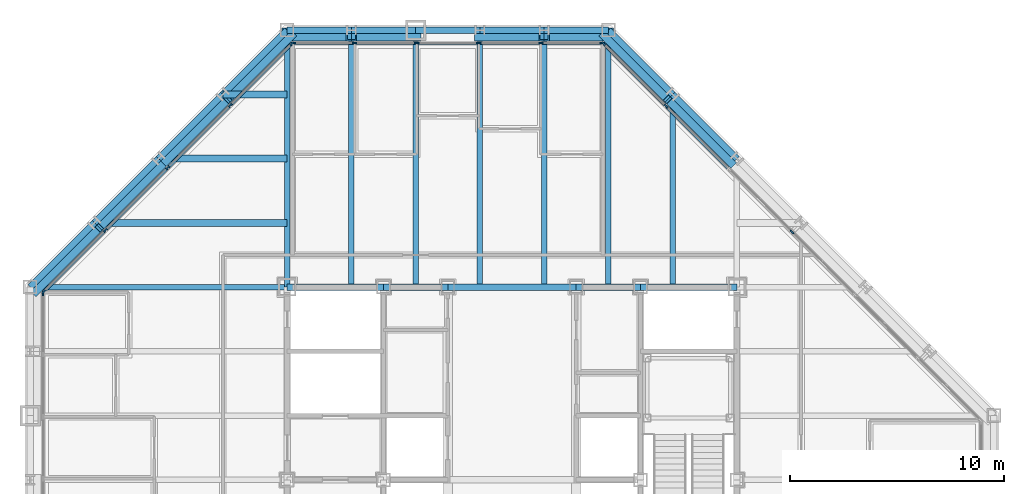
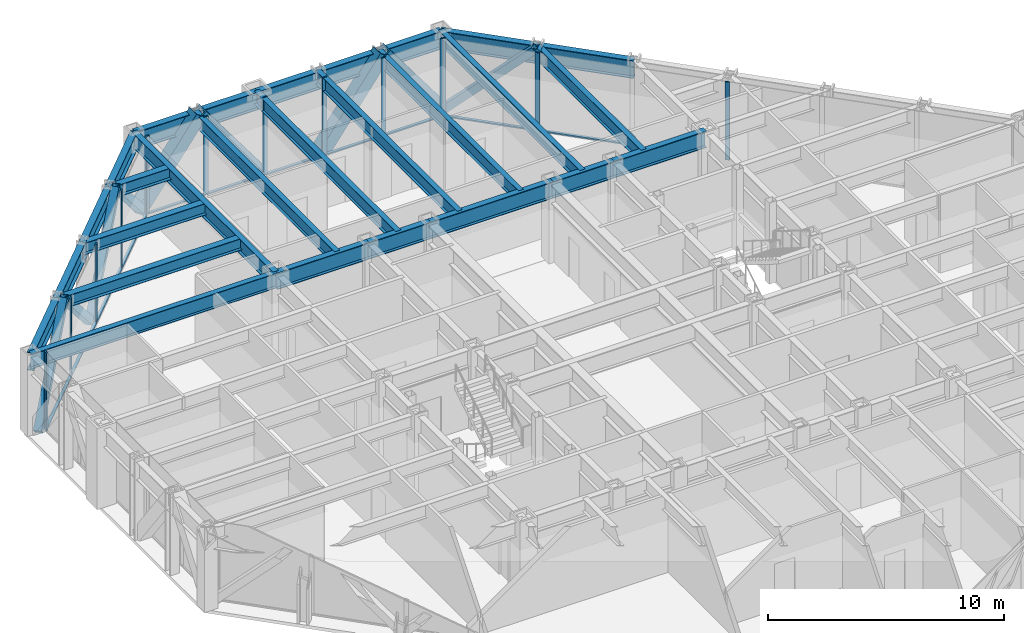
# One storey, part 8 of 16: 36 members, 27 beams, 4 elements without a shape of their own.
"""IFC4 building model written with IfcOpenShell, lengths in metres."""

import ifcopenshell
import ifcopenshell.guid

model = None  # the IFC model being written
_history = None  # IfcOwnerHistory: only IFC2X3 demands one
_inside = {}  # id of a spatial element -> (the spatial element, [elements in it])
_under = {}  # id of a project, library or spatial element -> (it, [spatial elements below it])
_declared = {}  # id of a project -> (the project, [libraries it declares])
_typed = {}  # id of a type object -> (the type object, [elements of that type])
_made_of = {}  # id of a material, layer set ... -> (it, [elements and type objects made of it])


def new_model(schema):
    """Start an empty IFC model of exactly this schema.

    Asked for "IFC4X3", IfcOpenShell would pick the latest addendum, in which some entities
    have other attributes; the version numbers below select the first issue.
    IFC2X3 requires an IfcOwnerHistory on every rooted entity: one is made here for all.
    """
    global model, _history
    if schema == "IFC4X3":
        model = ifcopenshell.file(schema_version=(4, 3, 0, 0))
    else:
        model = ifcopenshell.file(schema=schema)
    _inside.clear()
    _under.clear()
    _declared.clear()
    _typed.clear()
    _made_of.clear()
    _history = None
    if model.schema == "IFC2X3":
        org = make("IfcOrganization", Name="unknown")
        user = make(
            "IfcPersonAndOrganization",
            ThePerson=make("IfcPerson", FamilyName="unknown"),
            TheOrganization=org,
        )
        app = make(
            "IfcApplication",
            ApplicationDeveloper=org,
            Version="unknown",
            ApplicationFullName="unknown",
            ApplicationIdentifier="unknown",
        )
        _history = make(
            "IfcOwnerHistory",
            OwningUser=user,
            OwningApplication=app,
            ChangeAction="ADDED",
            CreationDate=0,
        )
    return model


def make(cls, **values):
    """One entity of the class cls with the attributes given. An attribute that is None is left unset."""
    return model.create_entity(
        cls, **{name: value for name, value in values.items() if value is not None}
    )


def rooted(cls, **values):
    """An entity with a GlobalId (a new one), such as an element, a storey or a relation."""
    return make(cls, GlobalId=ifcopenshell.guid.new(), OwnerHistory=_history, **values)


def si_unit(unit_type, name, prefix=None):
    """IfcSIUnit, for example si_unit("LENGTHUNIT", "METRE", prefix="MILLI")."""
    return make("IfcSIUnit", UnitType=unit_type, Prefix=prefix, Name=name)


def assignment(units):
    """IfcUnitAssignment: the units of a project."""
    return None if units is None else make("IfcUnitAssignment", Units=units)


def point(xyz):
    """IfcCartesianPoint."""
    return None if xyz is None else make("IfcCartesianPoint", Coordinates=xyz)


def direction(xyz):
    """IfcDirection."""
    return None if xyz is None else make("IfcDirection", DirectionRatios=xyz)


def frame(location, z_axis=None, x_axis=None):
    """IfcAxis2Placement3D, a coordinate frame: its origin and axes. An axis left out is left unset."""
    return make(
        "IfcAxis2Placement3D",
        Location=point(location),
        Axis=direction(z_axis),
        RefDirection=direction(x_axis),
    )


def frame_2d(location, x_axis=None):
    """IfcAxis2Placement2D, a coordinate frame in the plane: its origin and x axis."""
    return make(
        "IfcAxis2Placement2D", Location=point(location), RefDirection=direction(x_axis)
    )


def origin():
    """The frame at (0, 0, 0) with its axes left unset."""
    return frame((0.0, 0.0, 0.0))


def origin_2d():
    """The frame at (0, 0) in the plane with its x axis left unset."""
    return frame_2d((0.0, 0.0))


def place(relative_to, where):
    """IfcLocalPlacement: puts the frame where relative to a parent placement (None: the world)."""
    return make(
        "IfcLocalPlacement", PlacementRelTo=relative_to, RelativePlacement=where
    )


def context(
    kind, dimensions, precision=None, world=None, true_north=None, identifier=None
):
    """IfcGeometricRepresentationContext, for example the 3D "Model" context."""
    return make(
        "IfcGeometricRepresentationContext",
        ContextIdentifier=identifier,
        ContextType=kind,
        CoordinateSpaceDimension=dimensions,
        Precision=precision,
        WorldCoordinateSystem=world,
        TrueNorth=true_north,
    )


def subcontext(parent, identifier, kind, view, scale=None):
    """IfcGeometricRepresentationSubContext, for example "Body" below "Model"."""
    return make(
        "IfcGeometricRepresentationSubContext",
        ContextIdentifier=identifier,
        ContextType=kind,
        ParentContext=parent,
        TargetScale=scale,
        TargetView=view,
    )


def project(units=None, contexts=None):
    """IfcProject with its units and contexts."""
    return rooted(
        "IfcProject",
        Name="project",
        RepresentationContexts=contexts,
        UnitsInContext=assignment(units),
    )


def spatial(cls, under=None, at=None, **own):
    """A site, building, storey or space (cls), placed at a placement, below another one or the project."""
    s = rooted(cls, ObjectPlacement=at, **own)
    if under is not None:
        _under.setdefault(under.id(), (under, []))[1].append(s)
    return s


def profile(cls, at=None, kind="AREA", **sizes):
    """A parametric profile (cls). Its sizes go by their IFC names, for example OverallWidth=200.0."""
    return make(cls, ProfileType=kind, Position=at, **sizes)


def rectangle(**sizes):
    """IfcRectangleProfileDef."""
    return profile("IfcRectangleProfileDef", **sizes)


def hollow_rectangle(**sizes):
    """IfcRectangleHollowProfileDef."""
    return profile("IfcRectangleHollowProfileDef", **sizes)


def i_section(**sizes):
    """IfcIShapeProfileDef."""
    return profile("IfcIShapeProfileDef", **sizes)


def extrude(swept, where, along, depth):
    """IfcExtrudedAreaSolid: the profile swept, set in the frame where, extruded along a direction by depth."""
    return make(
        "IfcExtrudedAreaSolid",
        SweptArea=swept,
        Position=where,
        ExtrudedDirection=direction(along),
        Depth=depth,
    )


def shape(context_of_items, identifier, shape_type, items):
    """IfcShapeRepresentation: the items that make up one representation, for example the "Body"."""
    return make(
        "IfcShapeRepresentation",
        ContextOfItems=context_of_items,
        RepresentationIdentifier=identifier,
        RepresentationType=shape_type,
        Items=items,
    )


def material(Name=None, Category=None):
    """IfcMaterial."""
    return make("IfcMaterial", Name=Name, Category=Category)


def layer(
    of_material, thickness, ventilated=None, Name=None, Category=None, Priority=None
):
    """IfcMaterialLayer: one layer of a wall or slab, of a material (None: an air gap)."""
    return make(
        "IfcMaterialLayer",
        Material=of_material,
        LayerThickness=thickness,
        IsVentilated=ventilated,
        Name=Name,
        Category=Category,
        Priority=Priority,
    )


def layer_set(layers, Name=None):
    """IfcMaterialLayerSet."""
    return make("IfcMaterialLayerSet", MaterialLayers=layers, LayerSetName=Name)


def material_profile(
    of_material, cross_section, Name=None, Category=None, Priority=None
):
    """IfcMaterialProfile: a cross section and its material."""
    return make(
        "IfcMaterialProfile",
        Name=Name,
        Material=of_material,
        Profile=cross_section,
        Priority=Priority,
        Category=Category,
    )


def profile_set(profiles, Name=None, composite=None):
    """IfcMaterialProfileSet."""
    return make(
        "IfcMaterialProfileSet",
        Name=Name,
        MaterialProfiles=profiles,
        CompositeProfile=composite,
    )


def made_of(thing, what):
    """Note that an element or type object is made of a material, layer set ...; save() writes the relation."""
    if what is not None:
        _made_of.setdefault(what.id(), (what, []))[1].append(thing)
    return thing


def type_object(cls, material=None, **own):
    """A type object (cls), such as IfcWallType, which elements share."""
    return made_of(rooted(cls, **own), material)


def element(
    cls,
    number,
    at=None,
    inside=None,
    cuts=None,
    type_object=None,
    material=None,
    context=None,
    identifier="Body",
    shape_type=None,
    held_by="IfcProductDefinitionShape",
    body=None,
    shapes=None,
    **own,
):
    """One element of the class cls, such as IfcWall. Its Tag is "e" and its number.

    at: its placement. inside: the storey or other place that contains it. cuts: it is an
    opening in that element (IfcRelVoidsElement). A single representation is given by context,
    identifier, shape_type and body (its items); several are given by shapes. held_by: the class
    of the entity that holds the representations. save() writes the other relations.
    """
    e = rooted(cls, Tag="e%d" % number, ObjectPlacement=at, **own)
    if body is not None:
        shapes = [shape(context, identifier, shape_type, body)]
    if shapes is not None:
        e.Representation = make(held_by, Representations=shapes)
    if inside is not None:
        _inside.setdefault(inside.id(), (inside, []))[1].append(e)
    if cuts is not None:
        rooted(
            "IfcRelVoidsElement", RelatingBuildingElement=cuts, RelatedOpeningElement=e
        )
    if type_object is not None:
        _typed.setdefault(type_object.id(), (type_object, []))[1].append(e)
    return made_of(e, material)


def aggregate(whole, parts):
    """IfcRelAggregates: a whole, such as a stair, and the parts it consists of."""
    return rooted("IfcRelAggregates", RelatingObject=whole, RelatedObjects=parts)


def save(model, path):
    """Write the relations noted so far, then the file.

    IfcRelAggregates (storeys below a building ...), IfcRelContainedInSpatialStructure (elements
    in a storey), IfcRelDefinesByType, IfcRelAssociatesMaterial and IfcRelDeclares: one each for
    every whole, place, type object, material and project.
    """
    for whole, parts in _under.values():
        aggregate(whole, parts)
    for where, things in _inside.values():
        rooted(
            "IfcRelContainedInSpatialStructure",
            RelatedElements=things,
            RelatingStructure=where,
        )
    for kind, things in _typed.values():
        rooted("IfcRelDefinesByType", RelatedObjects=things, RelatingType=kind)
    for what, things in _made_of.values():
        rooted("IfcRelAssociatesMaterial", RelatedObjects=things, RelatingMaterial=what)
    for by, libraries in _declared.values():
        rooted("IfcRelDeclares", RelatingContext=by, RelatedDefinitions=libraries)
    model.write(path)


model = new_model("IFC4")

# Units and contexts
model_context = context("Model", 3, precision=1e-05, world=origin(), true_north=direction((0.0, 1.0)))
body_context = subcontext(model_context, "Body", "Model", "MODEL_VIEW")
ifc_project = project(units=[si_unit("LENGTHUNIT", "METRE"), si_unit("AREAUNIT", "SQUARE_METRE"), si_unit("VOLUMEUNIT", "CUBIC_METRE"), si_unit("PLANEANGLEUNIT", "RADIAN"), si_unit("MASSUNIT", "GRAM", prefix="KILO")], contexts=[model_context])

# Site, building, storey
site_placement = place(None, origin())
site = spatial("IfcSite", under=ifc_project, at=site_placement, CompositionType="ELEMENT")
building_placement = place(site_placement, origin())
building = spatial("IfcBuilding", under=site, at=building_placement, Name="Chuquiago Exchange Tower", CompositionType="ELEMENT")
storey_placement = place(building_placement, frame((0.0, 0.0, 205.5)))
storey = spatial("IfcBuildingStorey", under=building, at=storey_placement, Name="L45", CompositionType="ELEMENT", Elevation=205.5)

# Beams
ifc_material_1 = material(Name="Steel ASTM A992", Category="steel")
ifc_material_profile_1 = material_profile(ifc_material_1, i_section(OverallWidth=0.25390625, OverallDepth=0.683349609375, WebThickness=0.012451171875, FlangeThickness=0.018798828125, at=origin_2d()), Name="W27X94")
ifc_profile_set_1 = profile_set([ifc_material_profile_1], Name="Steel ASTM A992")
beam_type_1 = type_object("IfcBeamType", Name="B1 W27X94", PredefinedType="BEAM", material=ifc_profile_set_1)
for number, where, z_axis, x_axis, name in (
    (1, (15.0, 33.0, 3.698486328125), (0.0, 1.0, 0.0), (-1.0, 0.0, 0.0), "FB-L46-infill-15_33-15_45-0"),
    (2, (18.0, 33.0, 3.698486328125), (0.0, 1.0, 0.0), (-1.0, 0.0, 0.0), "FB-L46-infill-18_33-18_45-0"),
    (3, (21.0, 33.0, 3.698486328125), (0.0, 1.0, 0.0), (-1.0, 0.0, 0.0), "FB-L46-infill-21_33-21_45-0"),
    (4, (24.0, 33.0, 3.698486328125), (0.0, 1.0, 0.0), (-1.0, 0.0, 0.0), "FB-L46-infill-24_33-24_45-0"),
    (5, (27.0, 33.0, 3.698486328125), (0.0, 1.0, 0.0), (-1.0, 0.0, 0.0), "FB-L46-infill-27_33-27_45-0"),
):
    element("IfcBeam", number, at=place(storey_placement, frame(where, z_axis=z_axis, x_axis=x_axis)), inside=storey, type_object=beam_type_1, Name=name, PredefinedType="BEAM", context=body_context, shape_type="SweptSolid", body=[
        extrude(i_section(OverallWidth=0.25390625, OverallDepth=0.683349609375, WebThickness=0.012451171875, FlangeThickness=0.018798828125, at=origin_2d()), origin(), (0.0, 0.0, 1.0), 12.0),
    ])
beam_1_placement = place(storey_placement, frame((30.0, 33.0, 3.698486328125), z_axis=(0.0, 1.0, 0.0), x_axis=(-1.0, 0.0, 0.0)))
element("IfcBeam", 6, at=beam_1_placement, inside=storey, type_object=beam_type_1, Name="FB-L46-infill-30_33-30_42-0", PredefinedType="BEAM", context=body_context, shape_type="SweptSolid", body=[
    extrude(i_section(OverallWidth=0.25390625, OverallDepth=0.683349609375, WebThickness=0.012451171875, FlangeThickness=0.018798828125, at=origin_2d()), origin(), (0.0, 0.0, 1.0), 9.0),
])
ifc_material_2 = material(Name="Steel ASTM A992", Category="steel")
ifc_material_profile_2 = material_profile(ifc_material_2, i_section(OverallWidth=0.3251953125, OverallDepth=0.612060546875, WebThickness=0.0126953125, FlangeThickness=0.01904296875, at=origin_2d()), Name="W24X104")
ifc_profile_set_2 = profile_set([ifc_material_profile_2], Name="Steel ASTM A992")
beam_type_2 = type_object("IfcBeamType", Name="B2 W24X104", PredefinedType="BEAM", material=ifc_profile_set_2)
beam_2_placement = place(storey_placement, frame((12.0, 36.0, 3.73388671875), z_axis=(-1.0, 0.0, 0.0), x_axis=(0.0, -1.0, 0.0)))
element("IfcBeam", 7, at=beam_2_placement, inside=storey, type_object=beam_type_2, Name="FB-L46-corner-12_36-3_36-0", PredefinedType="BEAM", context=body_context, shape_type="SweptSolid", body=[
    extrude(i_section(OverallWidth=0.3251953125, OverallDepth=0.612060546875, WebThickness=0.0126953125, FlangeThickness=0.01904296875, at=origin_2d()), origin(), (0.0, 0.0, 1.0), 9.0),
])
beam_3_placement = place(storey_placement, frame((12.0, 39.0, 3.73388671875), z_axis=(-1.0, 0.0, 0.0), x_axis=(0.0, -1.0, 0.0)))
element("IfcBeam", 8, at=beam_3_placement, inside=storey, type_object=beam_type_2, Name="FB-L46-corner-12_39-6_39-0", PredefinedType="BEAM", context=body_context, shape_type="SweptSolid", body=[
    extrude(i_section(OverallWidth=0.3251953125, OverallDepth=0.612060546875, WebThickness=0.0126953125, FlangeThickness=0.01904296875, at=origin_2d()), origin(), (0.0, 0.0, 1.0), 6.0),
])
beam_4_placement = place(storey_placement, frame((12.0, 42.0, 3.73388671875), z_axis=(-1.0, 0.0, 0.0), x_axis=(0.0, -1.0, 0.0)))
element("IfcBeam", 9, at=beam_4_placement, inside=storey, type_object=beam_type_2, Name="FB-L46-corner-12_42-9_42-0", PredefinedType="BEAM", context=body_context, shape_type="SweptSolid", body=[
    extrude(i_section(OverallWidth=0.3251953125, OverallDepth=0.612060546875, WebThickness=0.0126953125, FlangeThickness=0.01904296875, at=origin_2d()), origin(), (0.0, 0.0, 1.0), 3.0),
])
ifc_material_3 = material(Name="Steel ASTM A992", Category="steel")
ifc_material_profile_3 = material_profile(ifc_material_3, i_section(OverallWidth=0.2919921875, OverallDepth=0.8583984375, WebThickness=0.01708984375, FlangeThickness=0.031005859375, at=origin_2d()), Name="W33X169")
ifc_profile_set_3 = profile_set([ifc_material_profile_3], Name="Steel ASTM A992")
beam_type_3 = type_object("IfcBeamType", Name="B3 W33X169", PredefinedType="BEAM", material=ifc_profile_set_3)
beam_5_placement = place(storey_placement, frame((12.0, 33.0, 3.610595703125), z_axis=(1.0, 0.0, 0.0), x_axis=(0.0, 1.0, 0.0)))
element("IfcBeam", 10, at=beam_5_placement, inside=storey, type_object=beam_type_3, Name="CB-L46-12_33-16.5_33", PredefinedType="BEAM", context=body_context, shape_type="SweptSolid", body=[
    extrude(i_section(OverallWidth=0.2919921875, OverallDepth=0.8583984375, WebThickness=0.01708984375, FlangeThickness=0.031005859375, at=origin_2d()), origin(), (0.0, 0.0, 1.0), 4.5),
])
beam_6_placement = place(storey_placement, frame((16.5, 33.0, 3.610595703125), z_axis=(1.0, 0.0, 0.0), x_axis=(0.0, 1.0, 0.0)))
element("IfcBeam", 11, at=beam_6_placement, inside=storey, type_object=beam_type_3, Name="CB-L46-16.5_33-19.5_33", PredefinedType="BEAM", context=body_context, shape_type="SweptSolid", body=[
    extrude(i_section(OverallWidth=0.2919921875, OverallDepth=0.8583984375, WebThickness=0.01708984375, FlangeThickness=0.031005859375, at=origin_2d()), origin(), (0.0, 0.0, 1.0), 3.0),
])
beam_7_placement = place(storey_placement, frame((19.5, 33.0, 3.610595703125), z_axis=(1.0, 0.0, 0.0), x_axis=(0.0, 1.0, 0.0)))
element("IfcBeam", 12, at=beam_7_placement, inside=storey, type_object=beam_type_3, Name="CB-L46-19.5_33-25.5_33", PredefinedType="BEAM", context=body_context, shape_type="SweptSolid", body=[
    extrude(i_section(OverallWidth=0.2919921875, OverallDepth=0.8583984375, WebThickness=0.01708984375, FlangeThickness=0.031005859375, at=origin_2d()), origin(), (0.0, 0.0, 1.0), 6.0),
])
beam_8_placement = place(storey_placement, frame((25.5, 33.0, 3.610595703125), z_axis=(1.0, 0.0, 0.0), x_axis=(0.0, 1.0, 0.0)))
element("IfcBeam", 13, at=beam_8_placement, inside=storey, type_object=beam_type_3, Name="CB-L46-25.5_33-28.5_33", PredefinedType="BEAM", context=body_context, shape_type="SweptSolid", body=[
    extrude(i_section(OverallWidth=0.2919921875, OverallDepth=0.8583984375, WebThickness=0.01708984375, FlangeThickness=0.031005859375, at=origin_2d()), origin(), (0.0, 0.0, 1.0), 3.0),
])
beam_9_placement = place(storey_placement, frame((28.5, 33.0, 3.610595703125), z_axis=(1.0, 0.0, 0.0), x_axis=(0.0, 1.0, 0.0)))
element("IfcBeam", 14, at=beam_9_placement, inside=storey, type_object=beam_type_3, Name="CB-L46-28.5_33-33_33", PredefinedType="BEAM", context=body_context, shape_type="SweptSolid", body=[
    extrude(i_section(OverallWidth=0.2919921875, OverallDepth=0.8583984375, WebThickness=0.01708984375, FlangeThickness=0.031005859375, at=origin_2d()), origin(), (0.0, 0.0, 1.0), 4.5),
])

# Curtain wall, members
ifc_material_4 = material(Name="Aluminium curtain wall system", Category="aluminium")
ifc_layer_1 = layer(ifc_material_4, 0.22509765625)
ifc_layer_set_1 = layer_set([ifc_layer_1], Name="CW2 office curtain wall")
curtain_wall_type_1 = type_object("IfcCurtainWallType", Name="CW2 office curtain wall", PredefinedType="NOTDEFINED", material=ifc_layer_set_1)
curtain_wall_1_placement = place(storey_placement, origin())
curtain_wall_1 = element("IfcCurtainWall", 15, at=curtain_wall_1_placement, inside=storey, type_object=curtain_wall_type_1, Name="CW2 curtain wall L45", PredefinedType="NOTDEFINED")
ifc_material_5 = material(Name="Aluminium mullion, pale anodised", Category="aluminium")
ifc_material_profile_4 = material_profile(ifc_material_5, rectangle(XDim=0.06494140625, YDim=0.22509765625, at=origin_2d()), Name="AL 65x225")
ifc_profile_set_4 = profile_set([ifc_material_profile_4], Name="Aluminium mullion, pale anodised")
member_type_1 = type_object("IfcMemberType", Name="CW2-M mullion 65x225", PredefinedType="MULLION", material=ifc_profile_set_4)
member_1_placement = place(storey_placement, frame((26.718994140625, 44.39990234375, 0.0), z_axis=(0.0, 0.0, 1.0), x_axis=(0.0, -1.0, 0.0)))
member_1 = element("IfcMember", 16, at=member_1_placement, type_object=member_type_1, Name="CW2 mullion 1", PredefinedType="MULLION", context=body_context, shape_type="SweptSolid", body=[
    extrude(rectangle(XDim=0.06494140625, YDim=0.22509765625, at=origin_2d()), origin(), (0.0, 0.0, 1.0), 4.0400390625),
])
member_2_placement = place(storey_placement, frame((23.850830078125, 44.39990234375, 0.0), z_axis=(0.0, 0.0, 1.0), x_axis=(0.0, -1.0, 0.0)))
member_2 = element("IfcMember", 17, at=member_2_placement, type_object=member_type_1, Name="CW2 mullion 2", PredefinedType="MULLION", context=body_context, shape_type="SweptSolid", body=[
    extrude(rectangle(XDim=0.06494140625, YDim=0.22509765625, at=origin_2d()), origin(), (0.0, 0.0, 1.0), 4.0400390625),
])
member_3_placement = place(storey_placement, frame((20.9501953125, 44.39990234375, 0.0), z_axis=(0.0, 0.0, 1.0), x_axis=(0.0, -1.0, 0.0)))
member_3 = element("IfcMember", 18, at=member_3_placement, type_object=member_type_1, Name="CW2 mullion 3", PredefinedType="MULLION", context=body_context, shape_type="SweptSolid", body=[
    extrude(rectangle(XDim=0.06494140625, YDim=0.22509765625, at=origin_2d()), origin(), (0.0, 0.0, 1.0), 4.0400390625),
])
member_4_placement = place(storey_placement, frame((18.0498046875, 44.39990234375, 0.0), z_axis=(0.0, 0.0, 1.0), x_axis=(0.0, -1.0, 0.0)))
member_4 = element("IfcMember", 19, at=member_4_placement, type_object=member_type_1, Name="CW2 mullion 4", PredefinedType="MULLION", context=body_context, shape_type="SweptSolid", body=[
    extrude(rectangle(XDim=0.06494140625, YDim=0.22509765625, at=origin_2d()), origin(), (0.0, 0.0, 1.0), 4.0400390625),
])
member_5_placement = place(storey_placement, frame((15.149169921875, 44.39990234375, 0.0), z_axis=(0.0, 0.0, 1.0), x_axis=(0.0, -1.0, 0.0)))
member_5 = element("IfcMember", 20, at=member_5_placement, type_object=member_type_1, Name="CW2 mullion 5", PredefinedType="MULLION", context=body_context, shape_type="SweptSolid", body=[
    extrude(rectangle(XDim=0.06494140625, YDim=0.22509765625, at=origin_2d()), origin(), (0.0, 0.0, 1.0), 4.0400390625),
])
member_6_placement = place(storey_placement, frame((12.281005859375, 44.39990234375, 0.0), z_axis=(0.0, 0.0, 1.0), x_axis=(0.0, -1.0, 0.0)))
member_6 = element("IfcMember", 21, at=member_6_placement, type_object=member_type_1, Name="CW2 mullion 6", PredefinedType="MULLION", context=body_context, shape_type="SweptSolid", body=[
    extrude(rectangle(XDim=0.06494140625, YDim=0.22509765625, at=origin_2d()), origin(), (0.0, 0.0, 1.0), 4.0400390625),
])

# Curtain wall, member
curtain_wall_2_placement = place(storey_placement, origin())
curtain_wall_2 = element("IfcCurtainWall", 22, at=curtain_wall_2_placement, inside=storey, type_object=curtain_wall_type_1, Name="CW2 curtain wall L45", PredefinedType="NOTDEFINED")
member_7_placement = place(storey_placement, frame((0.60009765625, 32.718994140625, 0.0), z_axis=(0.0, 0.0, 1.0), x_axis=(1.0, 0.0, 0.0)))
member_7 = element("IfcMember", 23, at=member_7_placement, type_object=member_type_1, Name="CW2 mullion 1", PredefinedType="MULLION", context=body_context, shape_type="SweptSolid", body=[
    extrude(rectangle(XDim=0.06494140625, YDim=0.22509765625, at=origin_2d()), origin(), (0.0, 0.0, 1.0), 4.0400390625),
])
aggregate(curtain_wall_2, [member_7])

# Member
ifc_material_6 = material(Name="Aluminium transom, pale anodised", Category="aluminium")
ifc_material_profile_5 = material_profile(ifc_material_6, rectangle(XDim=0.139892578125, YDim=0.06494140625, at=origin_2d()), Name="AL 140x65")
ifc_profile_set_5 = profile_set([ifc_material_profile_5], Name="Aluminium transom, pale anodised")
member_type_2 = type_object("IfcMemberType", Name="CW2-T transom 65x140", PredefinedType="MULLION", material=ifc_profile_set_5)
member_8_placement = place(storey_placement, frame((26.6865234375, 44.39990234375, 0.032470703125), z_axis=(-1.0, 0.0, 0.0), x_axis=(0.0, -1.0, 0.0)))
member_8 = element("IfcMember", 24, at=member_8_placement, type_object=member_type_2, Name="CW2 transom 1.1", PredefinedType="MULLION", context=body_context, shape_type="SweptSolid", body=[
    extrude(rectangle(XDim=0.139892578125, YDim=0.06494140625, at=origin_2d()), origin(), (0.0, 0.0, 1.0), 2.80322265625),
])

member_9_placement = place(storey_placement, frame((23.818359375, 44.39990234375, 0.032470703125), z_axis=(-1.0, 0.0, 0.0), x_axis=(0.0, -1.0, 0.0)))
member_9 = element("IfcMember", 25, at=member_9_placement, type_object=member_type_2, Name="CW2 transom 2.1", PredefinedType="MULLION", context=body_context, shape_type="SweptSolid", body=[
    extrude(rectangle(XDim=0.139892578125, YDim=0.06494140625, at=origin_2d()), origin(), (0.0, 0.0, 1.0), 2.83544921875),
])

member_10_placement = place(storey_placement, frame((20.917724609375, 44.39990234375, 0.032470703125), z_axis=(-1.0, 0.0, 0.0), x_axis=(0.0, -1.0, 0.0)))
member_10 = element("IfcMember", 26, at=member_10_placement, type_object=member_type_2, Name="CW2 transom 3.1", PredefinedType="MULLION", context=body_context, shape_type="SweptSolid", body=[
    extrude(rectangle(XDim=0.139892578125, YDim=0.06494140625, at=origin_2d()), origin(), (0.0, 0.0, 1.0), 2.83544921875),
])

member_11_placement = place(storey_placement, frame((18.01708984375, 44.39990234375, 0.032470703125), z_axis=(-1.0, 0.0, 0.0), x_axis=(0.0, -1.0, 0.0)))
member_11 = element("IfcMember", 27, at=member_11_placement, type_object=member_type_2, Name="CW2 transom 4.1", PredefinedType="MULLION", context=body_context, shape_type="SweptSolid", body=[
    extrude(rectangle(XDim=0.139892578125, YDim=0.06494140625, at=origin_2d()), origin(), (0.0, 0.0, 1.0), 2.83544921875),
])

member_12_placement = place(storey_placement, frame((15.11669921875, 44.39990234375, 0.032470703125), z_axis=(-1.0, 0.0, 0.0), x_axis=(0.0, -1.0, 0.0)))
member_12 = element("IfcMember", 28, at=member_12_placement, type_object=member_type_2, Name="CW2 transom 5.1", PredefinedType="MULLION", context=body_context, shape_type="SweptSolid", body=[
    extrude(rectangle(XDim=0.139892578125, YDim=0.06494140625, at=origin_2d()), origin(), (0.0, 0.0, 1.0), 2.80322265625),
])

aggregate(curtain_wall_1, [member_1, member_2, member_3, member_4, member_5, member_6, member_8, member_9, member_10, member_11, member_12])

# Curtain wall, members
ifc_material_7 = material(Name="Aluminium curtain wall system", Category="aluminium")
ifc_layer_2 = layer(ifc_material_7, 0.199951171875)
ifc_layer_set_2 = layer_set([ifc_layer_2], Name="CW3 facet curtain wall")
curtain_wall_type_2 = type_object("IfcCurtainWallType", Name="CW3 facet curtain wall", PredefinedType="NOTDEFINED", material=ifc_layer_set_2)
curtain_wall_3_placement = place(storey_placement, origin())
curtain_wall_3 = element("IfcCurtainWall", 29, at=curtain_wall_3_placement, inside=storey, type_object=curtain_wall_type_2, Name="CW3 curtain wall L45", PredefinedType="NOTDEFINED")
ifc_material_8 = material(Name="Aluminium mullion, pale anodised", Category="aluminium")
ifc_material_profile_6 = material_profile(ifc_material_8, rectangle(XDim=0.06494140625, YDim=0.199951171875, at=origin_2d()), Name="AL 65x200")
ifc_profile_set_6 = profile_set([ifc_material_profile_6], Name="Aluminium mullion, pale anodised")
member_type_3 = type_object("IfcMemberType", Name="CW3-M mullion 65x200", PredefinedType="MULLION", material=ifc_profile_set_6)
member_13_placement = place(storey_placement, frame((35.57568359375, 35.57568359375, 0.0), z_axis=(0.0, 0.0, 1.0), x_axis=(-0.707106781187, -0.707106781187, 0.0)))
member_13 = element("IfcMember", 30, at=member_13_placement, type_object=member_type_3, Name="CW3 mullion 4", PredefinedType="MULLION", context=body_context, shape_type="SweptSolid", body=[
    extrude(rectangle(XDim=0.06494140625, YDim=0.199951171875, at=origin_2d()), origin(), (0.0, 0.0, 1.0), 4.0400390625),
])
member_14_placement = place(storey_placement, frame((29.69287109375, 41.45849609375, 0.0), z_axis=(0.0, 0.0, 1.0), x_axis=(-0.707106781187, -0.707106781187, 0.0)))
member_14 = element("IfcMember", 31, at=member_14_placement, type_object=member_type_3, Name="CW3 mullion 6", PredefinedType="MULLION", context=body_context, shape_type="SweptSolid", body=[
    extrude(rectangle(XDim=0.06494140625, YDim=0.199951171875, at=origin_2d()), origin(), (0.0, 0.0, 1.0), 4.0400390625),
])
member_15_placement = place(storey_placement, frame((26.7744140625, 44.376953125, 0.0), z_axis=(0.0, 0.0, 1.0), x_axis=(-0.707106781187, -0.707106781187, 0.0)))
member_15 = element("IfcMember", 32, at=member_15_placement, type_object=member_type_3, Name="CW3 mullion 7", PredefinedType="MULLION", context=body_context, shape_type="SweptSolid", body=[
    extrude(rectangle(XDim=0.06494140625, YDim=0.199951171875, at=origin_2d()), origin(), (0.0, 0.0, 1.0), 4.0400390625),
])

curtain_wall_4_placement = place(storey_placement, origin())
curtain_wall_4 = element("IfcCurtainWall", 33, at=curtain_wall_4_placement, inside=storey, type_object=curtain_wall_type_2, Name="CW3 curtain wall L45", PredefinedType="NOTDEFINED")
member_16_placement = place(storey_placement, frame((12.2255859375, 44.376953125, 0.0), z_axis=(0.0, 0.0, 1.0), x_axis=(0.707106781187, -0.707106781187, 0.0)))
member_16 = element("IfcMember", 34, at=member_16_placement, type_object=member_type_3, Name="CW3 mullion 1", PredefinedType="MULLION", context=body_context, shape_type="SweptSolid", body=[
    extrude(rectangle(XDim=0.06494140625, YDim=0.199951171875, at=origin_2d()), origin(), (0.0, 0.0, 1.0), 4.0400390625),
])
member_17_placement = place(storey_placement, frame((9.33642578125, 41.48779296875, 0.0), z_axis=(0.0, 0.0, 1.0), x_axis=(0.707106781187, -0.707106781187, 0.0)))
member_17 = element("IfcMember", 35, at=member_17_placement, type_object=member_type_3, Name="CW3 mullion 2", PredefinedType="MULLION", context=body_context, shape_type="SweptSolid", body=[
    extrude(rectangle(XDim=0.06494140625, YDim=0.199951171875, at=origin_2d()), origin(), (0.0, 0.0, 1.0), 4.0400390625),
])
member_18_placement = place(storey_placement, frame((6.42431640625, 38.57568359375, 0.0), z_axis=(0.0, 0.0, 1.0), x_axis=(0.707106781187, -0.707106781187, 0.0)))
member_18 = element("IfcMember", 36, at=member_18_placement, type_object=member_type_3, Name="CW3 mullion 3", PredefinedType="MULLION", context=body_context, shape_type="SweptSolid", body=[
    extrude(rectangle(XDim=0.06494140625, YDim=0.199951171875, at=origin_2d()), origin(), (0.0, 0.0, 1.0), 4.0400390625),
])
member_19_placement = place(storey_placement, frame((3.51220703125, 35.66357421875, 0.0), z_axis=(0.0, 0.0, 1.0), x_axis=(0.707106781187, -0.707106781187, 0.0)))
member_19 = element("IfcMember", 37, at=member_19_placement, type_object=member_type_3, Name="CW3 mullion 4", PredefinedType="MULLION", context=body_context, shape_type="SweptSolid", body=[
    extrude(rectangle(XDim=0.06494140625, YDim=0.199951171875, at=origin_2d()), origin(), (0.0, 0.0, 1.0), 4.0400390625),
])
member_20_placement = place(storey_placement, frame((0.623046875, 32.7744140625, 0.0), z_axis=(0.0, 0.0, 1.0), x_axis=(0.707106781187, -0.707106781187, 0.0)))
member_20 = element("IfcMember", 38, at=member_20_placement, type_object=member_type_3, Name="CW3 mullion 5", PredefinedType="MULLION", context=body_context, shape_type="SweptSolid", body=[
    extrude(rectangle(XDim=0.06494140625, YDim=0.199951171875, at=origin_2d()), origin(), (0.0, 0.0, 1.0), 4.0400390625),
])

# Member
ifc_material_9 = material(Name="Aluminium transom, pale anodised", Category="aluminium")
ifc_material_profile_7 = material_profile(ifc_material_9, rectangle(XDim=0.139892578125, YDim=0.06494140625, at=origin_2d()), Name="AL 140x65")
ifc_profile_set_7 = profile_set([ifc_material_profile_7], Name="Aluminium transom, pale anodised")
member_type_4 = type_object("IfcMemberType", Name="CW3-T transom 65x140", PredefinedType="MULLION", material=ifc_profile_set_7)
member_21_placement = place(storey_placement, frame((32.611328125, 38.5400390625, 0.032470703125), z_axis=(-0.707106781187, 0.707106781187, 0.0), x_axis=(-0.707106781187, -0.707106781187, 0.0)))
member_21 = element("IfcMember", 39, at=member_21_placement, type_object=member_type_4, Name="CW3 transom 5.1", PredefinedType="MULLION", context=body_context, shape_type="SweptSolid", body=[
    extrude(rectangle(XDim=0.139892578125, YDim=0.06494140625, at=origin_2d()), origin(), (0.0, 0.0, 1.0), 4.094970703125),
])

member_22_placement = place(storey_placement, frame((29.669921875, 41.4814453125, 0.032470703125), z_axis=(-0.707106781187, 0.707106781187, 0.0), x_axis=(-0.707106781187, -0.707106781187, 0.0)))
member_22 = element("IfcMember", 40, at=member_22_placement, type_object=member_type_4, Name="CW3 transom 6.1", PredefinedType="MULLION", context=body_context, shape_type="SweptSolid", body=[
    extrude(rectangle(XDim=0.139892578125, YDim=0.06494140625, at=origin_2d()), origin(), (0.0, 0.0, 1.0), 4.0625),
])

aggregate(curtain_wall_3, [member_13, member_14, member_15, member_21, member_22])

member_23_placement = place(storey_placement, frame((12.20263671875, 44.35400390625, 0.032470703125), z_axis=(-0.707106781187, -0.707106781187, 0.0), x_axis=(0.707106781187, -0.707106781187, 0.0)))
member_23 = element("IfcMember", 41, at=member_23_placement, type_object=member_type_4, Name="CW3 transom 1.1", PredefinedType="MULLION", context=body_context, shape_type="SweptSolid", body=[
    extrude(rectangle(XDim=0.139892578125, YDim=0.06494140625, at=origin_2d()), origin(), (0.0, 0.0, 1.0), 4.02099609375),
])

member_24_placement = place(storey_placement, frame((9.3134765625, 41.46484375, 0.032470703125), z_axis=(-0.707106781187, -0.707106781187, 0.0), x_axis=(0.707106781187, -0.707106781187, 0.0)))
member_24 = element("IfcMember", 42, at=member_24_placement, type_object=member_type_4, Name="CW3 transom 2.1", PredefinedType="MULLION", context=body_context, shape_type="SweptSolid", body=[
    extrude(rectangle(XDim=0.139892578125, YDim=0.06494140625, at=origin_2d()), origin(), (0.0, 0.0, 1.0), 4.053466796875),
])

member_25_placement = place(storey_placement, frame((6.4013671875, 38.552734375, 0.032470703125), z_axis=(-0.707106781187, -0.707106781187, 0.0), x_axis=(0.707106781187, -0.707106781187, 0.0)))
member_25 = element("IfcMember", 43, at=member_25_placement, type_object=member_type_4, Name="CW3 transom 3.1", PredefinedType="MULLION", context=body_context, shape_type="SweptSolid", body=[
    extrude(rectangle(XDim=0.139892578125, YDim=0.06494140625, at=origin_2d()), origin(), (0.0, 0.0, 1.0), 4.053466796875),
])

member_26_placement = place(storey_placement, frame((3.4892578125, 35.640625, 0.032470703125), z_axis=(-0.707106781187, -0.707106781187, 0.0), x_axis=(0.707106781187, -0.707106781187, 0.0)))
member_26 = element("IfcMember", 44, at=member_26_placement, type_object=member_type_4, Name="CW3 transom 4.1", PredefinedType="MULLION", context=body_context, shape_type="SweptSolid", body=[
    extrude(rectangle(XDim=0.139892578125, YDim=0.06494140625, at=origin_2d()), origin(), (0.0, 0.0, 1.0), 4.02099609375),
])

aggregate(curtain_wall_4, [member_16, member_17, member_18, member_19, member_20, member_23, member_24, member_25, member_26])

# Beams
ifc_material_10 = material(Name="Steel ASTM A992", Category="steel")
ifc_material_profile_8 = material_profile(ifc_material_10, i_section(OverallWidth=0.2666015625, OverallDepth=0.76953125, WebThickness=0.015625, FlangeThickness=0.025390625, at=origin_2d()), Name="W30X132")
ifc_profile_set_8 = profile_set([ifc_material_profile_8], Name="Steel ASTM A992")
beam_type_4 = type_object("IfcBeamType", Name="G1 W30X132", PredefinedType="BEAM", material=ifc_profile_set_8)
for number, where, z_axis, x_axis, name in (
    (45, (12.0, 33.0, 3.6552734375), (0.0, 1.0, 0.0), (-1.0, 0.0, 0.0), "FB-L46-girder-12_33-12_45-0"),
    (46, (12.0, 33.0, 3.6552734375), (-1.0, 0.0, 0.0), (0.0, -1.0, 0.0), "FB-L46-girder-12_33--0_33-0"),
):
    element("IfcBeam", number, at=place(storey_placement, frame(where, z_axis=z_axis, x_axis=x_axis)), inside=storey, type_object=beam_type_4, Name=name, PredefinedType="BEAM", context=body_context, shape_type="SweptSolid", body=[
        extrude(i_section(OverallWidth=0.2666015625, OverallDepth=0.76953125, WebThickness=0.015625, FlangeThickness=0.025390625, at=origin_2d()), origin(), (0.0, 0.0, 1.0), 12.0),
    ])

# Members
ifc_material_11 = material(Name="Steel ASTM A500 Grade C", Category="steel")
ifc_material_profile_9 = material_profile(ifc_material_11, hollow_rectangle(XDim=0.355712890625, YDim=0.355712890625, WallThickness=0.0146484375, at=origin_2d()), Name="HSS14X14X5/8")
ifc_profile_set_9 = profile_set([ifc_material_profile_9], Name="Steel ASTM A500 Grade C")
member_type_5 = type_object("IfcMemberType", Name="LB2 HSS14X14X5/8", PredefinedType="BRACE", material=ifc_profile_set_9)
for number, where, z_axis, x_axis, name in (
    (47, (32.7685546875, 38.7685546875, 0.0), (-0.512077265487, 0.512077265487, 0.689604051861), (-0.707106781187, -0.707106781187, 0.0), "LB-L45-33_39-30_42"),
    (48, (26.7685546875, 44.7685546875, 0.0), (0.512077265487, -0.512077265487, 0.689604051861), (0.707106781187, 0.707106781187, 0.0), "LB-L45-30_42-27_45"),
    (49, (12.2314453125, 44.7685546875, 0.0), (-0.512077265487, -0.512077265487, 0.689604051861), (0.707106781187, -0.707106781187, 0.0), "LB-L45-12_45-9_42"),
    (50, (6.2314453125, 38.7685546875, 0.0), (0.512077265487, 0.512077265487, 0.689604051861), (-0.707106781187, 0.707106781187, 0.0), "LB-L45-9_42-6_39"),
    (51, (6.2314453125, 38.7685546875, 0.0), (-0.512077265487, -0.512077265487, 0.689604051861), (0.707106781187, -0.707106781187, 0.0), "LB-L45-6_39-3_36"),
    (52, (0.2314453125, 32.7685546875, 0.0), (0.512077265487, 0.512077265487, 0.689604051861), (-0.707106781187, 0.707106781187, 0.0), "LB-L45-3_36-0_33"),
):
    element("IfcMember", number, at=place(storey_placement, frame(where, z_axis=z_axis, x_axis=x_axis)), inside=storey, type_object=member_type_5, Name=name, PredefinedType="BRACE", context=body_context, shape_type="SweptSolid", body=[
        extrude(hollow_rectangle(XDim=0.355712890625, YDim=0.355712890625, WallThickness=0.0146484375, at=origin_2d()), origin(), (0.0, 0.0, 1.0), 5.8583984375),
    ])
ifc_material_12 = material(Name="Steel ASTM A572 Grade 50", Category="steel")
ifc_material_profile_10 = material_profile(ifc_material_12, hollow_rectangle(XDim=0.60009765625, YDim=0.60009765625, WallThickness=0.06005859375, at=origin_2d()), Name="BOX600X600X60")
ifc_profile_set_10 = profile_set([ifc_material_profile_10], Name="Steel ASTM A572 Grade 50")
member_type_6 = type_object("IfcMemberType", Name="MB3 BOX600X600X60", PredefinedType="BRACE", material=ifc_profile_set_10)
for number, where, z_axis, x_axis, name in (
    (53, (27.0, 44.794921875, 0.0), (-0.596173923302, 0.0, 0.802855312728), (0.0, -1.0, 0.0), "Mega diagonal L45 N face"),
    (54, (21.0, 44.794921875, 0.0), (0.596173923302, 0.0, 0.802855312728), (0.0, 1.0, 0.0), "Mega diagonal L45 N face"),
    (55, (18.0, 44.794921875, 0.0), (-0.596173923302, 0.0, 0.802855312728), (0.0, -1.0, 0.0), "Mega diagonal L45 N face"),
    (56, (12.0, 44.794921875, 0.0), (0.596173923302, 0.0, 0.802855312728), (0.0, 1.0, 0.0), "Mega diagonal L45 N face"),
):
    element("IfcMember", number, at=place(storey_placement, frame(where, z_axis=z_axis, x_axis=x_axis)), inside=storey, type_object=member_type_6, Name=name, PredefinedType="BRACE", context=body_context, shape_type="SweptSolid", body=[
        extrude(hollow_rectangle(XDim=0.60009765625, YDim=0.60009765625, WallThickness=0.06005859375, at=origin_2d()), origin(), (0.0, 0.0, 1.0), 5.031982421875),
    ])

# Beams
ifc_material_13 = material(Name="Steel ASTM A992", Category="steel")
ifc_material_profile_11 = material_profile(ifc_material_13, i_section(OverallWidth=0.307373046875, OverallDepth=0.927001953125, WebThickness=0.01953125, FlangeThickness=0.031982421875, at=origin_2d()), Name="W36X194")
ifc_profile_set_11 = profile_set([ifc_material_profile_11], Name="Steel ASTM A992")
beam_type_5 = type_object("IfcBeamType", Name="SP3 W36X194", PredefinedType="SPANDREL", material=ifc_profile_set_11)
for number, where, z_axis, x_axis, name in (
    (57, (33.0, 39.0, 3.576416015625), (-0.707106781187, 0.707106781187, 0.0), (-0.707106781187, -0.707106781187, 0.0), "SPB-L46-33_39-30_42"),
    (58, (30.0, 42.0, 3.576416015625), (-0.707106781187, 0.707106781187, 0.0), (-0.707106781187, -0.707106781187, 0.0), "SPB-L46-30_42-27_45"),
):
    element("IfcBeam", number, at=place(storey_placement, frame(where, z_axis=z_axis, x_axis=x_axis)), inside=storey, type_object=beam_type_5, Name=name, PredefinedType="SPANDREL", context=body_context, shape_type="SweptSolid", body=[
        extrude(i_section(OverallWidth=0.307373046875, OverallDepth=0.927001953125, WebThickness=0.01953125, FlangeThickness=0.031982421875, at=origin_2d()), origin(), (0.0, 0.0, 1.0), 4.24267578125),
    ])
for number, where, z_axis, x_axis, name in (
    (59, (27.0, 45.0, 3.576416015625), (-1.0, 0.0, 0.0), (0.0, -1.0, 0.0), "SPB-L46-27_45-24_45"),
    (60, (24.0, 45.0, 3.576416015625), (-1.0, 0.0, 0.0), (0.0, -1.0, 0.0), "SPB-L46-24_45-21_45"),
    (61, (21.0, 45.0, 3.576416015625), (-1.0, 0.0, 0.0), (0.0, -1.0, 0.0), "SPB-L46-21_45-18_45"),
    (62, (18.0, 45.0, 3.576416015625), (-1.0, 0.0, 0.0), (0.0, -1.0, 0.0), "SPB-L46-18_45-15_45"),
    (63, (15.0, 45.0, 3.576416015625), (-1.0, 0.0, 0.0), (0.0, -1.0, 0.0), "SPB-L46-15_45-12_45"),
):
    element("IfcBeam", number, at=place(storey_placement, frame(where, z_axis=z_axis, x_axis=x_axis)), inside=storey, type_object=beam_type_5, Name=name, PredefinedType="SPANDREL", context=body_context, shape_type="SweptSolid", body=[
        extrude(i_section(OverallWidth=0.307373046875, OverallDepth=0.927001953125, WebThickness=0.01953125, FlangeThickness=0.031982421875, at=origin_2d()), origin(), (0.0, 0.0, 1.0), 3.0),
    ])
for number, where, z_axis, x_axis, name in (
    (64, (12.0, 45.0, 3.576416015625), (-0.707106781187, -0.707106781187, 0.0), (0.707106781187, -0.707106781187, 0.0), "SPB-L46-12_45-9_42"),
    (65, (9.0, 42.0, 3.576416015625), (-0.707106781187, -0.707106781187, 0.0), (0.707106781187, -0.707106781187, 0.0), "SPB-L46-9_42-6_39"),
    (66, (6.0, 39.0, 3.576416015625), (-0.707106781187, -0.707106781187, 0.0), (0.707106781187, -0.707106781187, 0.0), "SPB-L46-6_39-3_36"),
    (67, (3.0, 36.0, 3.576416015625), (-0.707106781187, -0.707106781187, 0.0), (0.707106781187, -0.707106781187, 0.0), "SPB-L46-3_36-0_33"),
):
    element("IfcBeam", number, at=place(storey_placement, frame(where, z_axis=z_axis, x_axis=x_axis)), inside=storey, type_object=beam_type_5, Name=name, PredefinedType="SPANDREL", context=body_context, shape_type="SweptSolid", body=[
        extrude(i_section(OverallWidth=0.307373046875, OverallDepth=0.927001953125, WebThickness=0.01953125, FlangeThickness=0.031982421875, at=origin_2d()), origin(), (0.0, 0.0, 1.0), 4.24267578125),
    ])

save(model, "model.ifc")
